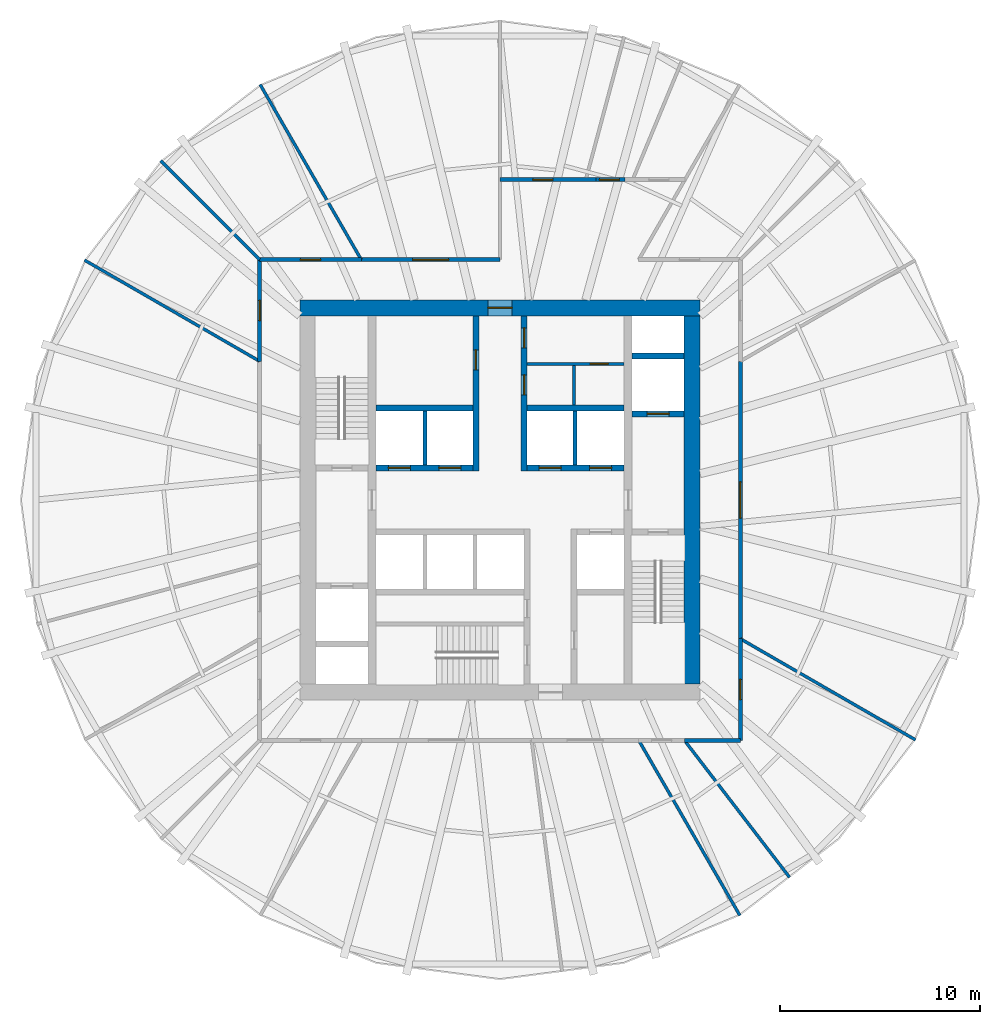
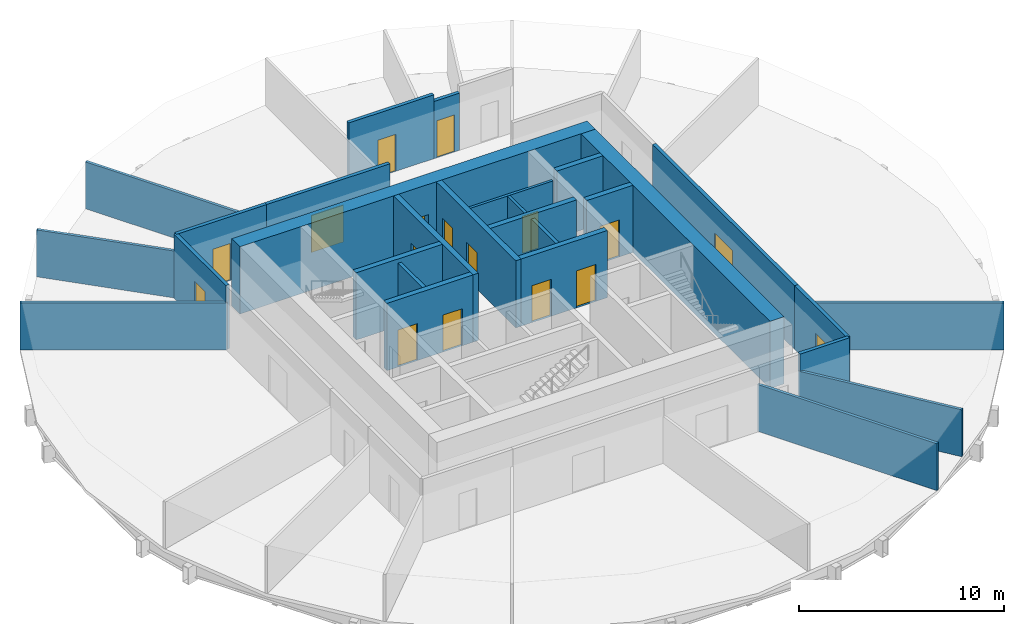
# One storey, part 4 of 6: 28 walls, 17 doors, 17 openings.
"""IFC4 building model written with IfcOpenShell, lengths in metres."""

from ifc_helpers import new_model, si_unit, direction, frame, frame_2d, origin, place, context, subcontext, project, spatial, rectangle, extrude, material, layer, layer_set, type_object, element, fill, save


model = new_model("IFC4")

# Units and contexts
model_context = context("Model", 3, precision=1e-05, world=origin(), true_north=direction((0.0, 1.0)))
body_context = subcontext(model_context, "Body", "Model", "MODEL_VIEW")
ifc_project = project(units=[si_unit("LENGTHUNIT", "METRE"), si_unit("AREAUNIT", "SQUARE_METRE"), si_unit("VOLUMEUNIT", "CUBIC_METRE"), si_unit("PLANEANGLEUNIT", "RADIAN"), si_unit("MASSUNIT", "GRAM", prefix="KILO")], contexts=[model_context])

# Site, building, storey
site_placement = place(None, origin())
site = spatial("IfcSite", under=ifc_project, at=site_placement, CompositionType="ELEMENT")
building_placement = place(site_placement, origin())
building = spatial("IfcBuilding", under=site, at=building_placement, Name="Golbaran Civic Tower", CompositionType="ELEMENT")
storey_placement = place(building_placement, frame((0.0, 0.0, 73.0)))
storey = spatial("IfcBuildingStorey", under=building, at=storey_placement, Name="L17", CompositionType="ELEMENT", Elevation=73.0)

# Wall, opening, door
ifc_material_1 = material(Name="Concrete block", Category="concrete")
ifc_layer_1 = layer(ifc_material_1, 0.14990234375, Name="Concrete block")
ifc_layer_set_1 = layer_set([ifc_layer_1], Name="Concrete block")
wall_type_1 = type_object("IfcWallType", Name="BLOCKWORK PARTITION 150", PredefinedType="PARTITIONING", material=ifc_layer_set_1)
wall_1_placement = place(storey_placement, frame((1.35009765625, 6.800048828125, 0.0), z_axis=(0.0, 0.0, 1.0), x_axis=(1.0, 0.0, 0.0)))
wall_1 = element("IfcWall", 1, at=wall_1_placement, inside=storey, type_object=wall_type_1, Name="Toilet block partition TN1 L17", PredefinedType="PARTITIONING", context=body_context, shape_type="SweptSolid", body=[
    extrude(rectangle(XDim=4.849853515625, YDim=0.14990234375, at=frame_2d((2.4248046875, 0.0))), origin(), (0.0, 0.0, 1.0), 3.75),
])
opening_1_placement = place(wall_1_placement, frame((3.14990234375, 0.0, 0.0)))
opening_1 = element("IfcOpeningElement", 2, at=opening_1_placement, cuts=wall_1, Name="Opening L17.CLN", PredefinedType="OPENING", context=body_context, shape_type="SweptSolid", body=[
    extrude(rectangle(XDim=0.89990234375, YDim=2.199951171875, at=frame_2d((0.449951171875, 1.10009765625))), frame((0.0, 0.0849609375, 0.0), z_axis=(0.0, -1.0, 0.0), x_axis=(1.0, 0.0, 0.0)), (0.0, 0.0, 1.0), 0.169921875),
])
ifc_material_2 = material(Name="Timber door set in steel frame", Category="steel")
door_type_1 = type_object("IfcDoorType", Name="RISER DOOR 900x2200", OperationType="SINGLE_SWING_LEFT", PredefinedType="DOOR", material=ifc_material_2)
door_1_placement = place(opening_1_placement, origin())
door_1 = element("IfcDoor", 3, at=door_1_placement, inside=storey, type_object=door_type_1, Name="Cleaner's Store door", OperationType="SINGLE_SWING_RIGHT", OverallHeight=2.199951171875, OverallWidth=0.89990234375, PredefinedType="DOOR", context=body_context, shape_type="SweptSolid", body=[
    extrude(rectangle(XDim=0.89990234375, YDim=2.199951171875, at=frame_2d((0.449951171875, 1.10009765625))), frame((0.0, 0.02490234375, 0.0), z_axis=(0.0, -1.0, 0.0), x_axis=(1.0, 0.0, 0.0)), (0.0, 0.0, 1.0), 0.050048828125),
])
fill(opening_1, door_1)

# Wall
wall_2_placement = place(storey_placement, frame((3.699951171875, 4.75, 0.0), z_axis=(0.0, 0.0, 1.0), x_axis=(0.0, 1.0, 0.0)))
element("IfcWall", 4, at=wall_2_placement, inside=storey, type_object=wall_type_1, Name="Toilet block partition TN2 L17", PredefinedType="PARTITIONING", context=body_context, shape_type="SweptSolid", body=[
    extrude(rectangle(XDim=1.97509765625, YDim=0.14990234375, at=frame_2d((0.987548828125, 0.0))), origin(), (0.0, 0.0, 1.0), 3.75),
])

# Wall, opening, door
ifc_material_3 = material(Name="Concrete C50/60", Category="concrete")
ifc_layer_2 = layer(ifc_material_3, 0.800048828125, Name="Concrete C50/60")
ifc_layer_set_2 = layer_set([ifc_layer_2], Name="Concrete C50/60")
wall_type_2 = type_object("IfcWallType", Name="CORE WALL CONCRETE 800", PredefinedType="SOLIDWALL", material=ifc_layer_set_2)
wall_3_placement = place(storey_placement, frame((-10.0, 9.60009765625, 0.0), z_axis=(0.0, 0.0, 1.0), x_axis=(1.0, 0.0, 0.0)))
wall_3 = element("IfcWall", 5, at=wall_3_placement, inside=storey, type_object=wall_type_2, Name="Core wall CN L17", PredefinedType="SOLIDWALL", context=body_context, shape_type="SweptSolid", body=[
    extrude(rectangle(XDim=20.0, YDim=0.800048828125, at=frame_2d((10.0, 0.0))), origin(), (0.0, 0.0, 1.0), 4.0),
])
opening_2_placement = place(wall_3_placement, frame((9.39990234375, 0.0, 0.0)))
opening_2 = element("IfcOpeningElement", 6, at=opening_2_placement, cuts=wall_3, Name="Opening L17.CN", PredefinedType="OPENING", context=body_context, shape_type="SweptSolid", body=[
    extrude(rectangle(XDim=1.199951171875, YDim=2.199951171875, at=frame_2d((0.60009765625, 1.10009765625))), frame((0.0, 0.409912109375, 0.0), z_axis=(0.0, -1.0, 0.0), x_axis=(1.0, 0.0, 0.0)), (0.0, 0.0, 1.0), 0.820068359375),
])
door_type_2 = type_object("IfcDoorType", Name="CORE DOOR 1200x2200", OperationType="DOUBLE_DOOR_SINGLE_SWING", PredefinedType="DOOR", material=ifc_material_2)
door_2_placement = place(opening_2_placement, origin())
door_2 = element("IfcDoor", 7, at=door_2_placement, inside=storey, type_object=door_type_2, Name="Core door north", OperationType="DOUBLE_DOOR_SINGLE_SWING", OverallHeight=2.199951171875, OverallWidth=1.199951171875, PredefinedType="DOOR", context=body_context, shape_type="SweptSolid", body=[
    extrude(rectangle(XDim=1.199951171875, YDim=2.199951171875, at=frame_2d((0.60009765625, 1.10009765625))), frame((0.0, 0.02490234375, 0.0), z_axis=(0.0, -1.0, 0.0), x_axis=(1.0, 0.0, 0.0)), (0.0, 0.0, 1.0), 0.050048828125),
])
fill(opening_2, door_2)

# Wall
wall_4_placement = place(storey_placement, frame((9.60009765625, -9.199951171875, 0.0), z_axis=(0.0, 0.0, 1.0), x_axis=(0.0, 1.0, 0.0)))
element("IfcWall", 8, at=wall_4_placement, inside=storey, type_object=wall_type_2, Name="Core wall CE L17", PredefinedType="SOLIDWALL", context=body_context, shape_type="SweptSolid", body=[
    extrude(rectangle(XDim=18.39990234375, YDim=0.800048828125, at=frame_2d((9.199951171875, 0.0))), origin(), (0.0, 0.0, 1.0), 4.0),
])

# Wall, opening, door
ifc_material_4 = material(Name="Gypsum board on steel studs, fire-rated", Category="steel")
ifc_layer_3 = layer(ifc_material_4, 0.199951171875, Name="Gypsum board on steel studs, fire-rated")
ifc_layer_set_3 = layer_set([ifc_layer_3], Name="Gypsum board on steel studs, fire-rated")
wall_type_3 = type_object("IfcWallType", Name="CORRIDOR WALL 200", PredefinedType="PARTITIONING", material=ifc_layer_set_3)
wall_5_placement = place(storey_placement, frame((12.0, -6.92822265625, 0.0), z_axis=(0.0, 0.0, 1.0), x_axis=(0.0, 1.0, 0.0)))
wall_5 = element("IfcWall", 9, at=wall_5_placement, inside=storey, type_object=wall_type_3, Name="Corridor wall L17", PredefinedType="PARTITIONING", context=body_context, shape_type="SweptSolid", body=[
    extrude(rectangle(XDim=13.8564453125, YDim=0.199951171875, at=frame_2d((6.92822265625, 0.0))), origin(), (0.0, 0.0, 1.0), 3.800048828125),
])
opening_3_placement = place(wall_5_placement, frame((6.0283203125, 0.0, 0.0)))
opening_3 = element("IfcOpeningElement", 10, at=opening_3_placement, cuts=wall_5, Name="Opening L17.04", PredefinedType="OPENING", context=body_context, shape_type="SweptSolid", body=[
    extrude(rectangle(XDim=1.800048828125, YDim=2.199951171875, at=frame_2d((0.89990234375, 1.10009765625))), frame((0.0, 0.10986328125, 0.0), z_axis=(0.0, -1.0, 0.0), x_axis=(1.0, 0.0, 0.0)), (0.0, 0.0, 1.0), 0.219970703125),
])
door_type_3 = type_object("IfcDoorType", Name="OFFICE DOUBLE DOOR 1800x2200", OperationType="DOUBLE_DOOR_SINGLE_SWING", PredefinedType="DOOR", material=ifc_material_2)
door_3_placement = place(opening_3_placement, origin())
door_3 = element("IfcDoor", 11, at=door_3_placement, inside=storey, type_object=door_type_3, Name="Open Office door L17", OperationType="DOUBLE_DOOR_SINGLE_SWING", OverallHeight=2.199951171875, OverallWidth=1.800048828125, PredefinedType="DOOR", context=body_context, shape_type="SweptSolid", body=[
    extrude(rectangle(XDim=1.800048828125, YDim=2.199951171875, at=frame_2d((0.89990234375, 1.10009765625))), frame((0.0, 0.02490234375, 0.0), z_axis=(0.0, -1.0, 0.0), x_axis=(1.0, 0.0, 0.0)), (0.0, 0.0, 1.0), 0.050048828125),
])
fill(opening_3, door_3)

wall_6_placement = place(storey_placement, frame((0.0, 12.0, 0.0), z_axis=(0.0, 0.0, 1.0), x_axis=(-1.0, 0.0, 0.0)))
wall_6 = element("IfcWall", 12, at=wall_6_placement, inside=storey, type_object=wall_type_3, Name="Corridor wall L17", PredefinedType="PARTITIONING", context=body_context, shape_type="SweptSolid", body=[
    extrude(rectangle(XDim=6.92822265625, YDim=0.199951171875, at=frame_2d((3.464111328125, 0.0))), origin(), (0.0, 0.0, 1.0), 3.800048828125),
])
opening_4_placement = place(wall_6_placement, frame((2.564208984375, 0.0, 0.0)))
opening_4 = element("IfcOpeningElement", 13, at=opening_4_placement, cuts=wall_6, Name="Opening L17.07", PredefinedType="OPENING", context=body_context, shape_type="SweptSolid", body=[
    extrude(rectangle(XDim=1.800048828125, YDim=2.199951171875, at=frame_2d((0.89990234375, 1.10009765625))), frame((0.0, 0.10986328125, 0.0), z_axis=(0.0, -1.0, 0.0), x_axis=(1.0, 0.0, 0.0)), (0.0, 0.0, 1.0), 0.219970703125),
])
door_4_placement = place(opening_4_placement, origin())
door_4 = element("IfcDoor", 14, at=door_4_placement, inside=storey, type_object=door_type_3, Name="Open Office door L17", OperationType="DOUBLE_DOOR_SINGLE_SWING", OverallHeight=2.199951171875, OverallWidth=1.800048828125, PredefinedType="DOOR", context=body_context, shape_type="SweptSolid", body=[
    extrude(rectangle(XDim=1.800048828125, YDim=2.199951171875, at=frame_2d((0.89990234375, 1.10009765625))), frame((0.0, 0.02490234375, 0.0), z_axis=(0.0, -1.0, 0.0), x_axis=(1.0, 0.0, 0.0)), (0.0, 0.0, 1.0), 0.050048828125),
])
fill(opening_4, door_4)

wall_7_placement = place(storey_placement, frame((-6.92822265625, 12.0, 0.0), z_axis=(0.0, 0.0, 1.0), x_axis=(-1.0, 0.0, 0.0)))
wall_7 = element("IfcWall", 15, at=wall_7_placement, inside=storey, type_object=wall_type_3, Name="Corridor wall L17", PredefinedType="PARTITIONING", context=body_context, shape_type="SweptSolid", body=[
    extrude(rectangle(XDim=5.07177734375, YDim=0.199951171875, at=frame_2d((2.535888671875, 0.0))), origin(), (0.0, 0.0, 1.0), 3.800048828125),
])
opening_5_placement = place(wall_7_placement, frame((2.035888671875, 0.0, 0.0)))
opening_5 = element("IfcOpeningElement", 16, at=opening_5_placement, cuts=wall_7, Name="Opening L17.08", PredefinedType="OPENING", context=body_context, shape_type="SweptSolid", body=[
    extrude(rectangle(XDim=1.0, YDim=2.199951171875, at=frame_2d((0.5, 1.10009765625))), frame((0.0, 0.10986328125, 0.0), z_axis=(0.0, -1.0, 0.0), x_axis=(1.0, 0.0, 0.0)), (0.0, 0.0, 1.0), 0.219970703125),
])
door_type_4 = type_object("IfcDoorType", Name="OFFICE DOOR 1000x2200", OperationType="SINGLE_SWING_LEFT", PredefinedType="DOOR", material=ifc_material_2)
door_5_placement = place(opening_5_placement, origin())
door_5 = element("IfcDoor", 17, at=door_5_placement, inside=storey, type_object=door_type_4, Name="Quiet Room door L17", OperationType="SINGLE_SWING_RIGHT", OverallHeight=2.199951171875, OverallWidth=1.0, PredefinedType="DOOR", context=body_context, shape_type="SweptSolid", body=[
    extrude(rectangle(XDim=1.0, YDim=2.199951171875, at=frame_2d((0.5, 1.10009765625))), frame((0.0, 0.02490234375, 0.0), z_axis=(0.0, -1.0, 0.0), x_axis=(1.0, 0.0, 0.0)), (0.0, 0.0, 1.0), 0.050048828125),
])
fill(opening_5, door_5)

wall_8_placement = place(storey_placement, frame((-12.0, 12.0, 0.0), z_axis=(0.0, 0.0, 1.0), x_axis=(0.0, -1.0, 0.0)))
wall_8 = element("IfcWall", 18, at=wall_8_placement, inside=storey, type_object=wall_type_3, Name="Corridor wall L17", PredefinedType="PARTITIONING", context=body_context, shape_type="SweptSolid", body=[
    extrude(rectangle(XDim=5.07177734375, YDim=0.199951171875, at=frame_2d((2.535888671875, 0.0))), origin(), (0.0, 0.0, 1.0), 3.800048828125),
])
opening_6_placement = place(wall_8_placement, frame((2.035888671875, 0.0, 0.0)))
opening_6 = element("IfcOpeningElement", 19, at=opening_6_placement, cuts=wall_8, Name="Opening L17.09", PredefinedType="OPENING", context=body_context, shape_type="SweptSolid", body=[
    extrude(rectangle(XDim=1.0, YDim=2.199951171875, at=frame_2d((0.5, 1.10009765625))), frame((0.0, 0.10986328125, 0.0), z_axis=(0.0, -1.0, 0.0), x_axis=(1.0, 0.0, 0.0)), (0.0, 0.0, 1.0), 0.219970703125),
])
door_6_placement = place(opening_6_placement, origin())
door_6 = element("IfcDoor", 20, at=door_6_placement, inside=storey, type_object=door_type_4, Name="Meeting Room door L17", OperationType="SINGLE_SWING_RIGHT", OverallHeight=2.199951171875, OverallWidth=1.0, PredefinedType="DOOR", context=body_context, shape_type="SweptSolid", body=[
    extrude(rectangle(XDim=1.0, YDim=2.199951171875, at=frame_2d((0.5, 1.10009765625))), frame((0.0, 0.02490234375, 0.0), z_axis=(0.0, -1.0, 0.0), x_axis=(1.0, 0.0, 0.0)), (0.0, 0.0, 1.0), 0.050048828125),
])
fill(opening_6, door_6)

# Wall
wall_9_placement = place(storey_placement, frame((9.2080078125, -12.0, 0.0), z_axis=(0.0, 0.0, 1.0), x_axis=(1.0, 0.0, 0.0)))
element("IfcWall", 21, at=wall_9_placement, inside=storey, type_object=wall_type_3, Name="Corridor wall L17", PredefinedType="PARTITIONING", context=body_context, shape_type="SweptSolid", body=[
    extrude(rectangle(XDim=2.7919921875, YDim=0.199951171875, at=frame_2d((1.39599609375, 0.0))), origin(), (0.0, 0.0, 1.0), 3.800048828125),
])

# Wall, opening, door
wall_10_placement = place(storey_placement, frame((12.0, -12.0, 0.0), z_axis=(0.0, 0.0, 1.0), x_axis=(0.0, 1.0, 0.0)))
wall_10 = element("IfcWall", 22, at=wall_10_placement, inside=storey, type_object=wall_type_3, Name="Corridor wall L17", PredefinedType="PARTITIONING", context=body_context, shape_type="SweptSolid", body=[
    extrude(rectangle(XDim=5.07177734375, YDim=0.199951171875, at=frame_2d((2.535888671875, 0.0))), origin(), (0.0, 0.0, 1.0), 3.800048828125),
])
opening_7_placement = place(wall_10_placement, frame((2.035888671875, 0.0, 0.0)))
opening_7 = element("IfcOpeningElement", 23, at=opening_7_placement, cuts=wall_10, Name="Opening L17.17", PredefinedType="OPENING", context=body_context, shape_type="SweptSolid", body=[
    extrude(rectangle(XDim=1.0, YDim=2.199951171875, at=frame_2d((0.5, 1.10009765625))), frame((0.0, 0.10986328125, 0.0), z_axis=(0.0, -1.0, 0.0), x_axis=(1.0, 0.0, 0.0)), (0.0, 0.0, 1.0), 0.219970703125),
])
door_7_placement = place(opening_7_placement, origin())
door_7 = element("IfcDoor", 24, at=door_7_placement, inside=storey, type_object=door_type_4, Name="File Room door L17", OperationType="SINGLE_SWING_LEFT", OverallHeight=2.199951171875, OverallWidth=1.0, PredefinedType="DOOR", context=body_context, shape_type="SweptSolid", body=[
    extrude(rectangle(XDim=1.0, YDim=2.199951171875, at=frame_2d((0.5, 1.10009765625))), frame((0.0, 0.02490234375, 0.0), z_axis=(0.0, -1.0, 0.0), x_axis=(1.0, 0.0, 0.0)), (0.0, 0.0, 1.0), 0.050048828125),
])
fill(opening_7, door_7)

ifc_material_5 = material(Name="Gypsum board on steel studs, fire-rated, glazed panels", Category="steel")
ifc_layer_4 = layer(ifc_material_5, 0.199951171875, Name="Gypsum board on steel studs, fire-rated, glazed panels")
ifc_layer_set_4 = layer_set([ifc_layer_4], Name="Gypsum board on steel studs, fire-rated, glazed panels")
wall_type_4 = type_object("IfcWallType", Name="GALLERY WALL 200", PredefinedType="PARTITIONING", material=ifc_layer_set_4)
wall_11_placement = place(storey_placement, frame((6.237548828125, 16.0, 0.0), z_axis=(0.0, 0.0, 1.0), x_axis=(-1.0, 0.0, 0.0)))
wall_11 = element("IfcWall", 25, at=wall_11_placement, inside=storey, type_object=wall_type_4, Name="Gallery wall L17 (part 2)", PredefinedType="PARTITIONING", context=body_context, shape_type="SweptSolid", body=[
    extrude(rectangle(XDim=1.44189453125, YDim=0.199951171875, at=frame_2d((0.720947265625, 0.0))), origin(), (0.0, 0.0, 1.0), 3.39990234375),
])
opening_8_placement = place(wall_11_placement, frame((0.2802734375, 0.0, 0.0)))
opening_8 = element("IfcOpeningElement", 26, at=opening_8_placement, cuts=wall_11, Name="Opening L17.02", PredefinedType="OPENING", context=body_context, shape_type="SweptSolid", body=[
    extrude(rectangle(XDim=1.0, YDim=2.199951171875, at=frame_2d((0.5, 1.10009765625))), frame((0.0, 0.10986328125, 0.0), z_axis=(0.0, -1.0, 0.0), x_axis=(1.0, 0.0, 0.0)), (0.0, 0.0, 1.0), 0.219970703125),
])
door_8_placement = place(opening_8_placement, origin())
door_8 = element("IfcDoor", 27, at=door_8_placement, inside=storey, type_object=door_type_4, Name="Office door L17", OperationType="SINGLE_SWING_LEFT", OverallHeight=2.199951171875, OverallWidth=1.0, PredefinedType="DOOR", context=body_context, shape_type="SweptSolid", body=[
    extrude(rectangle(XDim=1.0, YDim=2.199951171875, at=frame_2d((0.5, 1.10009765625))), frame((0.0, 0.02490234375, 0.0), z_axis=(0.0, -1.0, 0.0), x_axis=(1.0, 0.0, 0.0)), (0.0, 0.0, 1.0), 0.050048828125),
])
fill(opening_8, door_8)

wall_12_placement = place(storey_placement, frame((4.795654296875, 16.0, 0.0), z_axis=(0.0, 0.0, 1.0), x_axis=(-1.0, 0.0, 0.0)))
wall_12 = element("IfcWall", 28, at=wall_12_placement, inside=storey, type_object=wall_type_4, Name="Gallery wall L17 (part 3)", PredefinedType="PARTITIONING", context=body_context, shape_type="SweptSolid", body=[
    extrude(rectangle(XDim=4.795654296875, YDim=0.199951171875, at=frame_2d((2.39794921875, 0.0))), origin(), (0.0, 0.0, 1.0), 3.800048828125),
])
opening_9_placement = place(wall_12_placement, frame((2.152099609375, 0.0, 0.0)))
opening_9 = element("IfcOpeningElement", 29, at=opening_9_placement, cuts=wall_12, Name="Opening L17.03", PredefinedType="OPENING", context=body_context, shape_type="SweptSolid", body=[
    extrude(rectangle(XDim=1.0, YDim=2.199951171875, at=frame_2d((0.5, 1.10009765625))), frame((0.0, 0.10986328125, 0.0), z_axis=(0.0, -1.0, 0.0), x_axis=(1.0, 0.0, 0.0)), (0.0, 0.0, 1.0), 0.219970703125),
])
door_9_placement = place(opening_9_placement, origin())
door_9 = element("IfcDoor", 30, at=door_9_placement, inside=storey, type_object=door_type_4, Name="Director's Office door L17", OperationType="SINGLE_SWING_RIGHT", OverallHeight=2.199951171875, OverallWidth=1.0, PredefinedType="DOOR", context=body_context, shape_type="SweptSolid", body=[
    extrude(rectangle(XDim=1.0, YDim=2.199951171875, at=frame_2d((0.5, 1.10009765625))), frame((0.0, 0.02490234375, 0.0), z_axis=(0.0, -1.0, 0.0), x_axis=(1.0, 0.0, 0.0)), (0.0, 0.0, 1.0), 0.050048828125),
])
fill(opening_9, door_9)

# Walls
ifc_layer_5 = layer(ifc_material_1, 0.199951171875, Name="Concrete block")
ifc_layer_set_5 = layer_set([ifc_layer_5], Name="Concrete block")
wall_type_5 = type_object("IfcWallType", Name="LIFT SEPARATOR WALL 200", PredefinedType="SOLIDWALL", material=ifc_layer_set_5)
for number, where, z_axis, x_axis, name in (
    (31, (-3.75, 1.75, 0.0), (0.0, 0.0, 1.0), (0.0, 1.0, 0.0), "Core partition SNW L17"),
    (32, (3.75, 1.75, 0.0), (0.0, 0.0, 1.0), (0.0, 1.0, 0.0), "Core partition SNE L17"),
):
    element("IfcWall", number, at=place(storey_placement, frame(where, z_axis=z_axis, x_axis=x_axis)), inside=storey, type_object=wall_type_5, Name=name, PredefinedType="SOLIDWALL", context=body_context, shape_type="SweptSolid", body=[
        extrude(rectangle(XDim=2.699951171875, YDim=0.199951171875, at=frame_2d((1.35009765625, 0.0))), origin(), (0.0, 0.0, 1.0), 3.75),
    ])
ifc_material_6 = material(Name="Gypsum board on steel studs", Category="steel")
ifc_layer_6 = layer(ifc_material_6, 0.14990234375, Name="Gypsum board on steel studs")
ifc_layer_set_6 = layer_set([ifc_layer_6], Name="Gypsum board on steel studs")
wall_type_6 = type_object("IfcWallType", Name="OFFICE PARTITION 150", PredefinedType="PARTITIONING", material=ifc_layer_set_6)
for number, where, z_axis, x_axis, name in (
    (33, (12.0, -6.92822265625, 0.0), (0.0, 0.0, 1.0), (0.866023860286, -0.500002673408, 0.0), "Partition 330 L17"),
    (34, (-6.92822265625, 12.0, 0.0), (0.0, 0.0, 1.0), (-0.500002673408, 0.866023860286, 0.0), "Partition 120 L17"),
):
    element("IfcWall", number, at=place(storey_placement, frame(where, z_axis=z_axis, x_axis=x_axis)), inside=storey, type_object=wall_type_6, Name=name, PredefinedType="PARTITIONING", context=body_context, shape_type="SweptSolid", body=[
        extrude(rectangle(XDim=10.10595703125, YDim=0.14990234375, at=frame_2d((5.052978515625, 0.0))), origin(), (0.0, 0.0, 1.0), 2.7900390625),
    ])
wall_13_placement = place(storey_placement, frame((-12.0, 12.0, 0.0), z_axis=(0.0, 0.0, 1.0), x_axis=(-0.707106781187, 0.707106781187, 0.0)))
element("IfcWall", 35, at=wall_13_placement, inside=storey, type_object=wall_type_6, Name="Partition 135 L17", PredefinedType="PARTITIONING", context=body_context, shape_type="SweptSolid", body=[
    extrude(rectangle(XDim=6.99169921875, YDim=0.14990234375, at=frame_2d((3.495849609375, 0.0))), origin(), (0.0, 0.0, 1.0), 2.7900390625),
])
for number, where, z_axis, x_axis, name in (
    (36, (-12.0, 6.92822265625, 0.0), (0.0, 0.0, 1.0), (-0.866023860286, 0.500002673408, 0.0), "Partition 150 L17"),
    (37, (6.92822265625, -12.0, 0.0), (0.0, 0.0, 1.0), (0.500002673408, -0.866023860286, 0.0), "Partition 300 L17"),
):
    element("IfcWall", number, at=place(storey_placement, frame(where, z_axis=z_axis, x_axis=x_axis)), inside=storey, type_object=wall_type_6, Name=name, PredefinedType="PARTITIONING", context=body_context, shape_type="SweptSolid", body=[
        extrude(rectangle(XDim=10.10595703125, YDim=0.14990234375, at=frame_2d((5.052978515625, 0.0))), origin(), (0.0, 0.0, 1.0), 2.7900390625),
    ])
wall_14_placement = place(storey_placement, frame((9.2080078125, -12.0, 0.0), z_axis=(0.0, 0.0, 1.0), x_axis=(0.608747993403, -0.793363649613, 0.0)))
element("IfcWall", 38, at=wall_14_placement, inside=storey, type_object=wall_type_6, Name="Partition 307.5 L17", PredefinedType="PARTITIONING", context=body_context, shape_type="SweptSolid", body=[
    extrude(rectangle(XDim=8.631591796875, YDim=0.14990234375, at=frame_2d((4.31591796875, 0.0))), origin(), (0.0, 0.0, 1.0), 2.7900390625),
])

# Wall, openings, doors
ifc_layer_7 = layer(ifc_material_3, 0.300048828125, Name="Concrete C50/60")
ifc_layer_set_7 = layer_set([ifc_layer_7], Name="Concrete C50/60")
wall_type_7 = type_object("IfcWallType", Name="SHAFT WALL CONCRETE 300", PredefinedType="SOLIDWALL", material=ifc_layer_set_7)
wall_15_placement = place(storey_placement, frame((-6.199951171875, 1.60009765625, 0.0), z_axis=(0.0, 0.0, 1.0), x_axis=(1.0, 0.0, 0.0)))
wall_15 = element("IfcWall", 39, at=wall_15_placement, inside=storey, type_object=wall_type_7, Name="Core wall FNW L17", PredefinedType="SOLIDWALL", context=body_context, shape_type="SweptSolid", body=[
    extrude(rectangle(XDim=4.849853515625, YDim=0.300048828125, at=frame_2d((2.4248046875, 0.0))), origin(), (0.0, 0.0, 1.0), 4.0),
])
opening_10_placement = place(wall_15_placement, frame((0.625, 0.0, 0.0)))
opening_10 = element("IfcOpeningElement", 40, at=opening_10_placement, cuts=wall_15, Name="Opening L17.LD-Z1L", PredefinedType="OPENING", context=body_context, shape_type="SweptSolid", body=[
    extrude(rectangle(XDim=1.10009765625, YDim=2.199951171875, at=frame_2d((0.550048828125, 1.10009765625))), frame((0.0, 0.159912109375, 0.0), z_axis=(0.0, -1.0, 0.0), x_axis=(1.0, 0.0, 0.0)), (0.0, 0.0, 1.0), 0.320068359375),
])
opening_11_placement = place(wall_15_placement, frame((3.14990234375, 0.0, 0.0)))
opening_11 = element("IfcOpeningElement", 41, at=opening_11_placement, cuts=wall_15, Name="Opening L17.LD-Z2L", PredefinedType="OPENING", context=body_context, shape_type="SweptSolid", body=[
    extrude(rectangle(XDim=1.10009765625, YDim=2.199951171875, at=frame_2d((0.550048828125, 1.10009765625))), frame((0.0, 0.159912109375, 0.0), z_axis=(0.0, -1.0, 0.0), x_axis=(1.0, 0.0, 0.0)), (0.0, 0.0, 1.0), 0.320068359375),
])
ifc_material_7 = material(Name="Stainless steel", Category="steel")
door_type_5 = type_object("IfcDoorType", Name="LIFT LANDING DOOR 1100x2200", OperationType="SLIDING_TO_LEFT", PredefinedType="DOOR", material=ifc_material_7)
door_10_placement = place(opening_10_placement, origin())
door_10 = element("IfcDoor", 42, at=door_10_placement, inside=storey, type_object=door_type_5, Name="Lift landing door Z1L", OperationType="SLIDING_TO_LEFT", OverallHeight=2.199951171875, OverallWidth=1.10009765625, PredefinedType="DOOR", context=body_context, shape_type="SweptSolid", body=[
    extrude(rectangle(XDim=1.10009765625, YDim=2.199951171875, at=frame_2d((0.550048828125, 1.10009765625))), frame((0.0, 0.02490234375, 0.0), z_axis=(0.0, -1.0, 0.0), x_axis=(1.0, 0.0, 0.0)), (0.0, 0.0, 1.0), 0.050048828125),
])
fill(opening_10, door_10)
door_11_placement = place(opening_11_placement, origin())
door_11 = element("IfcDoor", 43, at=door_11_placement, inside=storey, type_object=door_type_5, Name="Lift landing door Z2L", OperationType="SLIDING_TO_LEFT", OverallHeight=2.199951171875, OverallWidth=1.10009765625, PredefinedType="DOOR", context=body_context, shape_type="SweptSolid", body=[
    extrude(rectangle(XDim=1.10009765625, YDim=2.199951171875, at=frame_2d((0.550048828125, 1.10009765625))), frame((0.0, 0.02490234375, 0.0), z_axis=(0.0, -1.0, 0.0), x_axis=(1.0, 0.0, 0.0)), (0.0, 0.0, 1.0), 0.050048828125),
])
fill(opening_11, door_11)

wall_16_placement = place(storey_placement, frame((1.35009765625, 1.60009765625, 0.0), z_axis=(0.0, 0.0, 1.0), x_axis=(1.0, 0.0, 0.0)))
wall_16 = element("IfcWall", 44, at=wall_16_placement, inside=storey, type_object=wall_type_7, Name="Core wall FNE L17", PredefinedType="SOLIDWALL", context=body_context, shape_type="SweptSolid", body=[
    extrude(rectangle(XDim=4.849853515625, YDim=0.300048828125, at=frame_2d((2.4248046875, 0.0))), origin(), (0.0, 0.0, 1.0), 4.0),
])
opening_12_placement = place(wall_16_placement, frame((0.60009765625, 0.0, 0.0)))
opening_12 = element("IfcOpeningElement", 45, at=opening_12_placement, cuts=wall_16, Name="Opening L17.LD-Z3L", PredefinedType="OPENING", context=body_context, shape_type="SweptSolid", body=[
    extrude(rectangle(XDim=1.10009765625, YDim=2.199951171875, at=frame_2d((0.550048828125, 1.10009765625))), frame((0.0, 0.159912109375, 0.0), z_axis=(0.0, -1.0, 0.0), x_axis=(1.0, 0.0, 0.0)), (0.0, 0.0, 1.0), 0.320068359375),
])
opening_13_placement = place(wall_16_placement, frame((3.125, 0.0, 0.0)))
opening_13 = element("IfcOpeningElement", 46, at=opening_13_placement, cuts=wall_16, Name="Opening L17.LD-Z4L", PredefinedType="OPENING", context=body_context, shape_type="SweptSolid", body=[
    extrude(rectangle(XDim=1.10009765625, YDim=2.199951171875, at=frame_2d((0.550048828125, 1.10009765625))), frame((0.0, 0.159912109375, 0.0), z_axis=(0.0, -1.0, 0.0), x_axis=(1.0, 0.0, 0.0)), (0.0, 0.0, 1.0), 0.320068359375),
])
door_12_placement = place(opening_12_placement, origin())
door_12 = element("IfcDoor", 47, at=door_12_placement, inside=storey, type_object=door_type_5, Name="Lift landing door Z3L", OperationType="SLIDING_TO_LEFT", OverallHeight=2.199951171875, OverallWidth=1.10009765625, PredefinedType="DOOR", context=body_context, shape_type="SweptSolid", body=[
    extrude(rectangle(XDim=1.10009765625, YDim=2.199951171875, at=frame_2d((0.550048828125, 1.10009765625))), frame((0.0, 0.02490234375, 0.0), z_axis=(0.0, -1.0, 0.0), x_axis=(1.0, 0.0, 0.0)), (0.0, 0.0, 1.0), 0.050048828125),
])
fill(opening_12, door_12)
door_13_placement = place(opening_13_placement, origin())
door_13 = element("IfcDoor", 48, at=door_13_placement, inside=storey, type_object=door_type_5, Name="Lift landing door Z4L", OperationType="SLIDING_TO_LEFT", OverallHeight=2.199951171875, OverallWidth=1.10009765625, PredefinedType="DOOR", context=body_context, shape_type="SweptSolid", body=[
    extrude(rectangle(XDim=1.10009765625, YDim=2.199951171875, at=frame_2d((0.550048828125, 1.10009765625))), frame((0.0, 0.02490234375, 0.0), z_axis=(0.0, -1.0, 0.0), x_axis=(1.0, 0.0, 0.0)), (0.0, 0.0, 1.0), 0.050048828125),
])
fill(opening_13, door_13)

# Walls
for number, where, z_axis, x_axis, name in (
    (49, (-6.199951171875, 4.60009765625, 0.0), (0.0, 0.0, 1.0), (1.0, 0.0, 0.0), "Core wall BNW L17"),
    (50, (1.35009765625, 4.60009765625, 0.0), (0.0, 0.0, 1.0), (1.0, 0.0, 0.0), "Core wall BNE L17"),
):
    element("IfcWall", number, at=place(storey_placement, frame(where, z_axis=z_axis, x_axis=x_axis)), inside=storey, type_object=wall_type_7, Name=name, PredefinedType="SOLIDWALL", context=body_context, shape_type="SweptSolid", body=[
        extrude(rectangle(XDim=4.849853515625, YDim=0.300048828125, at=frame_2d((2.4248046875, 0.0))), origin(), (0.0, 0.0, 1.0), 4.0),
    ])

# Wall, opening, door
wall_17_placement = place(storey_placement, frame((-1.199951171875, 1.449951171875, 0.0), z_axis=(0.0, 0.0, 1.0), x_axis=(0.0, 1.0, 0.0)))
wall_17 = element("IfcWall", 51, at=wall_17_placement, inside=storey, type_object=wall_type_7, Name="Core wall PNW L17", PredefinedType="SOLIDWALL", context=body_context, shape_type="SweptSolid", body=[
    extrude(rectangle(XDim=7.75, YDim=0.300048828125, at=frame_2d((3.875, 0.0))), origin(), (0.0, 0.0, 1.0), 4.0),
])
opening_14_placement = place(wall_17_placement, frame((5.050048828125, 0.0, 0.0)))
opening_14 = element("IfcOpeningElement", 52, at=opening_14_placement, cuts=wall_17, Name="Opening L17.WCM", PredefinedType="OPENING", context=body_context, shape_type="SweptSolid", body=[
    extrude(rectangle(XDim=1.0, YDim=2.199951171875, at=frame_2d((0.5, 1.10009765625))), frame((0.0, 0.159912109375, 0.0), z_axis=(0.0, -1.0, 0.0), x_axis=(1.0, 0.0, 0.0)), (0.0, 0.0, 1.0), 0.320068359375),
])
door_type_6 = type_object("IfcDoorType", Name="TOILET DOOR 1000x2200", OperationType="SINGLE_SWING_LEFT", PredefinedType="DOOR", material=ifc_material_2)
door_14_placement = place(opening_14_placement, origin())
door_14 = element("IfcDoor", 53, at=door_14_placement, inside=storey, type_object=door_type_6, Name="North-west toilet block door", OperationType="SINGLE_SWING_RIGHT", OverallHeight=2.199951171875, OverallWidth=1.0, PredefinedType="DOOR", context=body_context, shape_type="SweptSolid", body=[
    extrude(rectangle(XDim=1.0, YDim=2.199951171875, at=frame_2d((0.5, 1.10009765625))), frame((0.0, 0.02490234375, 0.0), z_axis=(0.0, -1.0, 0.0), x_axis=(1.0, 0.0, 0.0)), (0.0, 0.0, 1.0), 0.050048828125),
])
fill(opening_14, door_14)

# Wall, openings, doors
wall_18_placement = place(storey_placement, frame((1.199951171875, 1.449951171875, 0.0), z_axis=(0.0, 0.0, 1.0), x_axis=(0.0, 1.0, 0.0)))
wall_18 = element("IfcWall", 54, at=wall_18_placement, inside=storey, type_object=wall_type_7, Name="Core wall PNE L17", PredefinedType="SOLIDWALL", context=body_context, shape_type="SweptSolid", body=[
    extrude(rectangle(XDim=7.75, YDim=0.300048828125, at=frame_2d((3.875, 0.0))), origin(), (0.0, 0.0, 1.0), 4.0),
])
opening_15_placement = place(wall_18_placement, frame((3.800048828125, 0.0, 0.0)))
opening_15 = element("IfcOpeningElement", 55, at=opening_15_placement, cuts=wall_18, Name="Opening L17.WCA", PredefinedType="OPENING", context=body_context, shape_type="SweptSolid", body=[
    extrude(rectangle(XDim=1.0, YDim=2.199951171875, at=frame_2d((0.5, 1.10009765625))), frame((0.0, 0.159912109375, 0.0), z_axis=(0.0, -1.0, 0.0), x_axis=(1.0, 0.0, 0.0)), (0.0, 0.0, 1.0), 0.320068359375),
])
opening_16_placement = place(wall_18_placement, frame((6.14990234375, 0.0, 0.0)))
opening_16 = element("IfcOpeningElement", 56, at=opening_16_placement, cuts=wall_18, Name="Opening L17.WCF", PredefinedType="OPENING", context=body_context, shape_type="SweptSolid", body=[
    extrude(rectangle(XDim=1.0, YDim=2.199951171875, at=frame_2d((0.5, 1.10009765625))), frame((0.0, 0.159912109375, 0.0), z_axis=(0.0, -1.0, 0.0), x_axis=(1.0, 0.0, 0.0)), (0.0, 0.0, 1.0), 0.320068359375),
])
door_15_placement = place(opening_15_placement, origin())
door_15 = element("IfcDoor", 57, at=door_15_placement, inside=storey, type_object=door_type_6, Name="Accessible WC door", OperationType="SINGLE_SWING_RIGHT", OverallHeight=2.199951171875, OverallWidth=1.0, PredefinedType="DOOR", context=body_context, shape_type="SweptSolid", body=[
    extrude(rectangle(XDim=1.0, YDim=2.199951171875, at=frame_2d((0.5, 1.10009765625))), frame((0.0, 0.02490234375, 0.0), z_axis=(0.0, -1.0, 0.0), x_axis=(1.0, 0.0, 0.0)), (0.0, 0.0, 1.0), 0.050048828125),
])
fill(opening_15, door_15)
door_16_placement = place(opening_16_placement, origin())
door_16 = element("IfcDoor", 58, at=door_16_placement, inside=storey, type_object=door_type_6, Name="North-east toilet block door", OperationType="SINGLE_SWING_RIGHT", OverallHeight=2.199951171875, OverallWidth=1.0, PredefinedType="DOOR", context=body_context, shape_type="SweptSolid", body=[
    extrude(rectangle(XDim=1.0, YDim=2.199951171875, at=frame_2d((0.5, 1.10009765625))), frame((0.0, 0.02490234375, 0.0), z_axis=(0.0, -1.0, 0.0), x_axis=(1.0, 0.0, 0.0)), (0.0, 0.0, 1.0), 0.050048828125),
])
fill(opening_16, door_16)

# Wall, opening, door
wall_19_placement = place(storey_placement, frame((6.60009765625, 4.300048828125, 0.0), z_axis=(0.0, 0.0, 1.0), x_axis=(1.0, 0.0, 0.0)))
wall_19 = element("IfcWall", 59, at=wall_19_placement, inside=storey, type_object=wall_type_7, Name="Core wall XE2 L17", PredefinedType="SOLIDWALL", context=body_context, shape_type="SweptSolid", body=[
    extrude(rectangle(XDim=2.599853515625, YDim=0.300048828125, at=frame_2d((1.2998046875, 0.0))), origin(), (0.0, 0.0, 1.0), 4.0),
])
opening_17_placement = place(wall_19_placement, frame((0.75, 0.0, 0.0)))
opening_17 = element("IfcOpeningElement", 60, at=opening_17_placement, cuts=wall_19, Name="Opening L17.LD-F2", PredefinedType="OPENING", context=body_context, shape_type="SweptSolid", body=[
    extrude(rectangle(XDim=1.10009765625, YDim=2.199951171875, at=frame_2d((0.550048828125, 1.10009765625))), frame((0.0, 0.159912109375, 0.0), z_axis=(0.0, -1.0, 0.0), x_axis=(1.0, 0.0, 0.0)), (0.0, 0.0, 1.0), 0.320068359375),
])
door_17_placement = place(opening_17_placement, origin())
door_17 = element("IfcDoor", 61, at=door_17_placement, inside=storey, type_object=door_type_5, Name="Lift landing door F2", OperationType="SLIDING_TO_LEFT", OverallHeight=2.199951171875, OverallWidth=1.10009765625, PredefinedType="DOOR", context=body_context, shape_type="SweptSolid", body=[
    extrude(rectangle(XDim=1.10009765625, YDim=2.199951171875, at=frame_2d((0.550048828125, 1.10009765625))), frame((0.0, 0.02490234375, 0.0), z_axis=(0.0, -1.0, 0.0), x_axis=(1.0, 0.0, 0.0)), (0.0, 0.0, 1.0), 0.050048828125),
])
fill(opening_17, door_17)

# Wall
wall_20_placement = place(storey_placement, frame((6.60009765625, 7.199951171875, 0.0), z_axis=(0.0, 0.0, 1.0), x_axis=(1.0, 0.0, 0.0)))
element("IfcWall", 62, at=wall_20_placement, inside=storey, type_object=wall_type_7, Name="Core wall XE3 L17", PredefinedType="SOLIDWALL", context=body_context, shape_type="SweptSolid", body=[
    extrude(rectangle(XDim=2.599853515625, YDim=0.300048828125, at=frame_2d((1.2998046875, 0.0))), origin(), (0.0, 0.0, 1.0), 4.0),
])

save(model, "model.ifc")
